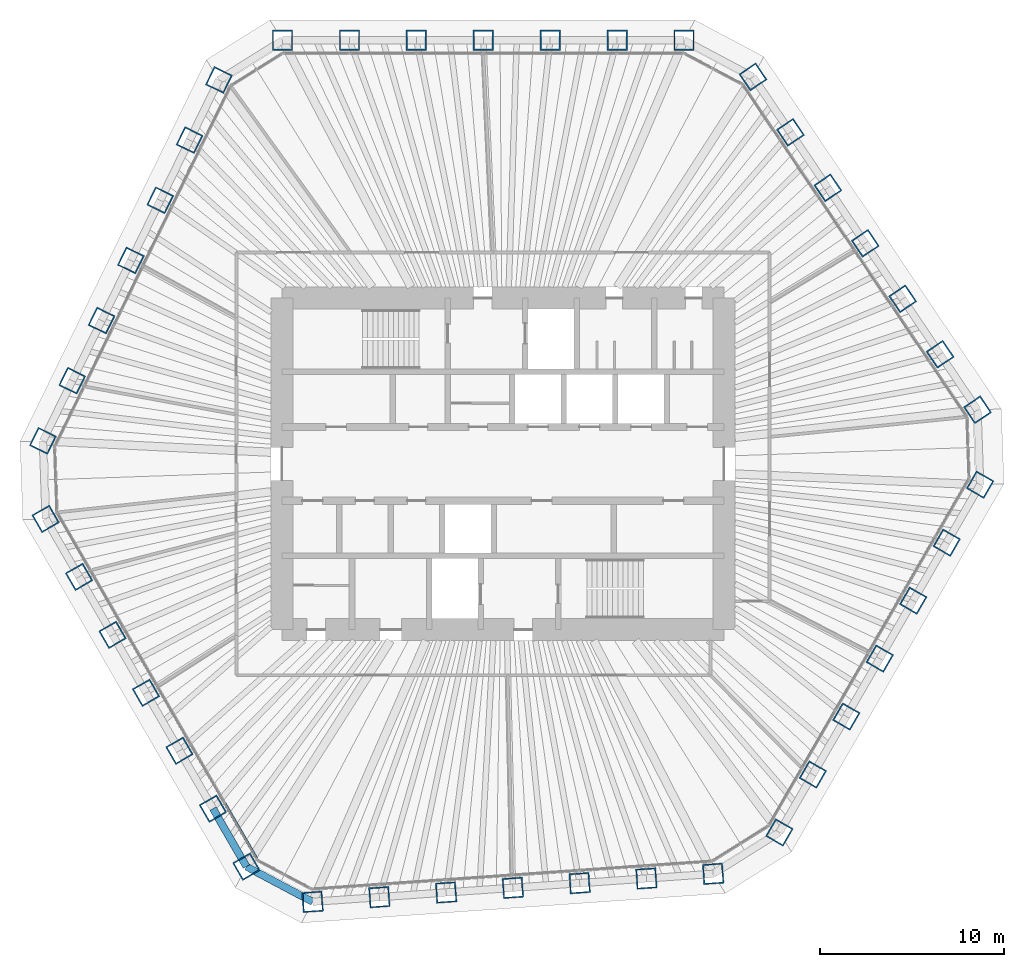
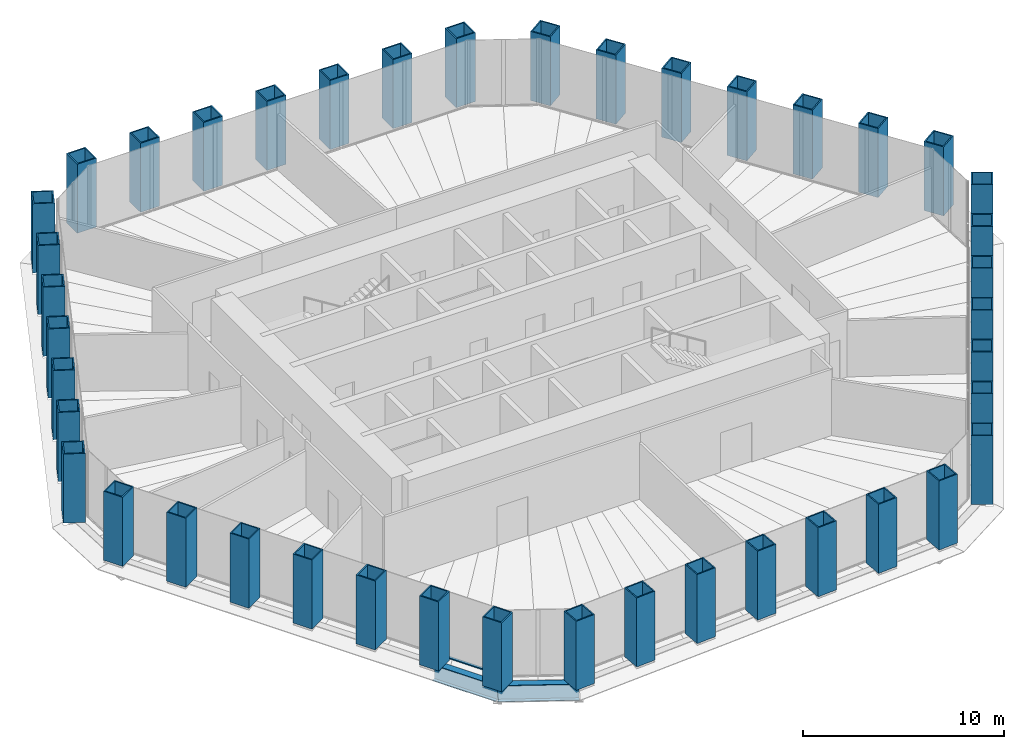
# One storey, part 1 of 13: 42 columns, 2 beams, 1 member, 1 element without a shape of its own.
"""IFC4 building model written with IfcOpenShell, lengths in metres."""

from ifc_helpers import new_model, si_unit, direction, frame, origin, origin_2d, place, context, subcontext, project, spatial, rectangle, hollow_rectangle, i_section, extrude, material, material_profile, profile_set, type_object, element, aggregate, save


model = new_model("IFC4")

# Units and contexts
model_context = context("Model", 3, precision=1e-05, world=origin(), true_north=direction((0.0, 1.0)))
body_context = subcontext(model_context, "Body", "Model", "MODEL_VIEW")
ifc_project = project(units=[si_unit("LENGTHUNIT", "METRE"), si_unit("AREAUNIT", "SQUARE_METRE"), si_unit("VOLUMEUNIT", "CUBIC_METRE"), si_unit("PLANEANGLEUNIT", "RADIAN"), si_unit("MASSUNIT", "GRAM", prefix="KILO")], contexts=[model_context])

# Site, building, storey
site_placement = place(None, origin())
site = spatial("IfcSite", under=ifc_project, at=site_placement, CompositionType="ELEMENT")
building_placement = place(site_placement, origin())
building = spatial("IfcBuilding", under=site, at=building_placement, Name="Qingtian Harvest Tower", CompositionType="ELEMENT")
storey_placement = place(building_placement, frame((0.0, 0.0, 218.199951171875)))
storey = spatial("IfcBuildingStorey", under=building, at=storey_placement, Name="L47", CompositionType="ELEMENT", Elevation=218.199951171875)

# Columns
ifc_material_1 = material(Name="Steel SM570MC", Category="steel")
ifc_material_profile_1 = material_profile(ifc_material_1, hollow_rectangle(XDim=1.10009765625, YDim=1.10009765625, WallThickness=0.070068359375, at=origin_2d()), Name="BOX1100x1100x70")
ifc_profile_set_1 = profile_set([ifc_material_profile_1], Name="Steel SM570MC")
column_type = type_object("IfcColumnType", Name="Tube column TC5 BOX1100x1100x70", PredefinedType="COLUMN", material=ifc_profile_set_1)
for number, where, z_axis, x_axis, name in (
    (1, (-11.971923828125, 23.0, 0.0), (0.0, 0.0, 1.0), (-1.0, 0.0, 0.0), "Tube column TC5 N0"),
    (2, (-8.33837890625, 23.0, 0.0), (0.0, 0.0, 1.0), (-1.0, 0.0, 0.0), "Tube column TC5 N1"),
    (3, (-4.704833984375, 23.0, 0.0), (0.0, 0.0, 1.0), (-1.0, 0.0, 0.0), "Tube column TC5 N2"),
    (4, (-1.0712890625, 23.0, 0.0), (0.0, 0.0, 1.0), (-1.0, 0.0, 0.0), "Tube column TC5 N3"),
    (5, (2.562255859375, 23.0, 0.0), (0.0, 0.0, 1.0), (-1.0, 0.0, 0.0), "Tube column TC5 N4"),
    (6, (6.19580078125, 23.0, 0.0), (0.0, 0.0, 1.0), (-1.0, 0.0, 0.0), "Tube column TC5 N5"),
    (7, (9.829345703125, 23.0, 0.0), (0.0, 0.0, 1.0), (-1.0, 0.0, 0.0), "Tube column TC5 N6"),
    (8, (13.5712890625, 21.01025390625, 0.0), (0.0, 0.0, 1.0), (-0.559192903471, 0.829037572555, 0.0), "Tube column TC5 NE0"),
    (9, (15.603271484375, 17.998046875, 0.0), (0.0, 0.0, 1.0), (-0.559192903471, 0.829037572555, 0.0), "Tube column TC5 NE1"),
    (10, (17.635009765625, 14.985595703125, 0.0), (0.0, 0.0, 1.0), (-0.559192903471, 0.829037572555, 0.0), "Tube column TC5 NE2"),
    (11, (19.6669921875, 11.97314453125, 0.0), (0.0, 0.0, 1.0), (-0.559192903471, 0.829037572555, 0.0), "Tube column TC5 NE3"),
    (12, (21.69873046875, 8.9609375, 0.0), (0.0, 0.0, 1.0), (-0.559192903471, 0.829037572555, 0.0), "Tube column TC5 NE4"),
    (13, (23.730712890625, 5.948486328125, 0.0), (0.0, 0.0, 1.0), (-0.559192903471, 0.829037572555, 0.0), "Tube column TC5 NE5"),
    (14, (25.762451171875, 2.936279296875, 0.0), (0.0, 0.0, 1.0), (-0.559192903471, 0.829037572555, 0.0), "Tube column TC5 NE6"),
    (15, (25.904541015625, -1.1318359375, 0.0), (0.0, 0.0, 1.0), (0.5, 0.866025403784, 0.0), "Tube column TC5 SE0"),
    (16, (24.087890625, -4.27880859375, 0.0), (0.0, 0.0, 1.0), (0.5, 0.866025403784, 0.0), "Tube column TC5 SE1"),
    (17, (22.27099609375, -7.425537109375, 0.0), (0.0, 0.0, 1.0), (0.5, 0.866025403784, 0.0), "Tube column TC5 SE2"),
    (18, (20.454345703125, -10.572265625, 0.0), (0.0, 0.0, 1.0), (0.5, 0.866025403784, 0.0), "Tube column TC5 SE3"),
    (19, (18.637451171875, -13.718994140625, 0.0), (0.0, 0.0, 1.0), (0.5, 0.866025403784, 0.0), "Tube column TC5 SE4"),
    (20, (16.82080078125, -16.86572265625, 0.0), (0.0, 0.0, 1.0), (0.5, 0.866025403784, 0.0), "Tube column TC5 SE5"),
    (21, (15.00390625, -20.012451171875, 0.0), (0.0, 0.0, 1.0), (0.5, 0.866025403784, 0.0), "Tube column TC5 SE6"),
    (22, (11.40966796875, -22.25830078125, 0.0), (0.0, 0.0, 1.0), (0.99756405026, 0.069756473744, 0.0), "Tube column TC5 S0"),
    (23, (7.78515625, -22.51171875, 0.0), (0.0, 0.0, 1.0), (0.99756405026, 0.069756473744, 0.0), "Tube column TC5 S1"),
    (24, (4.160400390625, -22.76513671875, 0.0), (0.0, 0.0, 1.0), (0.99756405026, 0.069756473744, 0.0), "Tube column TC5 S2"),
    (25, (0.53564453125, -23.018798828125, 0.0), (0.0, 0.0, 1.0), (0.99756405026, 0.069756473744, 0.0), "Tube column TC5 S3"),
    (26, (-3.089111328125, -23.272216796875, 0.0), (0.0, 0.0, 1.0), (0.99756405026, 0.069756473744, 0.0), "Tube column TC5 S4"),
    (27, (-6.713623046875, -23.525634765625, 0.0), (0.0, 0.0, 1.0), (0.99756405026, 0.069756473744, 0.0), "Tube column TC5 S5"),
    (28, (-10.33837890625, -23.779052734375, 0.0), (0.0, 0.0, 1.0), (0.99756405026, 0.069756473744, 0.0), "Tube column TC5 S6"),
    (29, (-13.9326171875, -21.8681640625, 0.0), (0.0, 0.0, 1.0), (0.5, -0.866025403784, 0.0), "Tube column TC5 SW0"),
    (30, (-15.749267578125, -18.72119140625, 0.0), (0.0, 0.0, 1.0), (0.5, -0.866025403784, 0.0), "Tube column TC5 SW1"),
    (31, (-17.566162109375, -15.574462890625, 0.0), (0.0, 0.0, 1.0), (0.5, -0.866025403784, 0.0), "Tube column TC5 SW2"),
    (32, (-19.3828125, -12.427734375, 0.0), (0.0, 0.0, 1.0), (0.5, -0.866025403784, 0.0), "Tube column TC5 SW3"),
    (33, (-21.19970703125, -9.281005859375, 0.0), (0.0, 0.0, 1.0), (0.5, -0.866025403784, 0.0), "Tube column TC5 SW4"),
    (34, (-23.016357421875, -6.13427734375, 0.0), (0.0, 0.0, 1.0), (0.5, -0.866025403784, 0.0), "Tube column TC5 SW5"),
    (35, (-24.833251953125, -2.987548828125, 0.0), (0.0, 0.0, 1.0), (0.5, -0.866025403784, 0.0), "Tube column TC5 SW6"),
    (36, (-24.981201171875, 1.248046875, 0.0), (0.0, 0.0, 1.0), (-0.438371146789, -0.898794046299, 0.0), "Tube column TC5 NW0"),
    (37, (-23.388427734375, 4.513916015625, 0.0), (0.0, 0.0, 1.0), (-0.438371146789, -0.898794046299, 0.0), "Tube column TC5 NW1"),
    (38, (-21.79541015625, 7.779541015625, 0.0), (0.0, 0.0, 1.0), (-0.438371146789, -0.898794046299, 0.0), "Tube column TC5 NW2"),
    (39, (-20.20263671875, 11.04541015625, 0.0), (0.0, 0.0, 1.0), (-0.438371146789, -0.898794046299, 0.0), "Tube column TC5 NW3"),
    (40, (-18.60986328125, 14.311279296875, 0.0), (0.0, 0.0, 1.0), (-0.438371146789, -0.898794046299, 0.0), "Tube column TC5 NW4"),
    (41, (-17.016845703125, 17.5771484375, 0.0), (0.0, 0.0, 1.0), (-0.438371146789, -0.898794046299, 0.0), "Tube column TC5 NW5"),
    (42, (-15.424072265625, 20.8427734375, 0.0), (0.0, 0.0, 1.0), (-0.438371146789, -0.898794046299, 0.0), "Tube column TC5 NW6"),
):
    element("IfcColumn", number, at=place(storey_placement, frame(where, z_axis=z_axis, x_axis=x_axis)), inside=storey, type_object=column_type, Name=name, PredefinedType="COLUMN", context=body_context, shape_type="SweptSolid", body=[
        extrude(hollow_rectangle(XDim=1.10009765625, YDim=1.10009765625, WallThickness=0.070068359375, at=origin_2d()), origin(), (0.0, 0.0, 1.0), 4.199951171875),
    ])

# Beams
ifc_material_2 = material(Name="Steel SN490B", Category="steel")
ifc_material_profile_2 = material_profile(ifc_material_2, i_section(OverallWidth=0.39990234375, OverallDepth=1.0, WebThickness=0.01904296875, FlangeThickness=0.035888671875, at=origin_2d()), Name="H1000x400x19x36")
ifc_profile_set_2 = profile_set([ifc_material_profile_2], Name="Steel SN490B")
beam_type = type_object("IfcBeamType", Name="Spandrel beam SB3 H1000x400x19x36", PredefinedType="SPANDREL", material=ifc_profile_set_2)
beam_1_placement = place(storey_placement, frame((-10.33837890625, -23.779052734375, -0.5), z_axis=(-0.882968133669, 0.469432929101, 0.0), x_axis=(-0.469432929101, -0.882968133669, 0.0)))
element("IfcBeam", 43, at=beam_1_placement, inside=storey, type_object=beam_type, Name="Spandrel SB3 SC", PredefinedType="SPANDREL", context=body_context, shape_type="SweptSolid", body=[
    extrude(i_section(OverallWidth=0.39990234375, OverallDepth=1.0, WebThickness=0.01904296875, FlangeThickness=0.035888671875, at=origin_2d()), origin(), (0.0, 0.0, 1.0), 4.070556640625),
])
beam_2_placement = place(storey_placement, frame((-13.9326171875, -21.8681640625, -0.5), z_axis=(-0.499947341849, 0.866055803848, 0.0), x_axis=(-0.866055803848, -0.499947341849, 0.0)))
element("IfcBeam", 44, at=beam_2_placement, inside=storey, type_object=beam_type, Name="Spandrel SB3 SW0", PredefinedType="SPANDREL", context=body_context, shape_type="SweptSolid", body=[
    extrude(i_section(OverallWidth=0.39990234375, OverallDepth=1.0, WebThickness=0.01904296875, FlangeThickness=0.035888671875, at=origin_2d()), origin(), (0.0, 0.0, 1.0), 3.6337890625),
])

# Curtain wall, member
ifc_material_3 = material(Name="Bronze-anodised aluminium curtain wall", Category="aluminium")
curtain_wall_type = type_object("IfcCurtainWallType", Name="Curtain wall CW4 office", PredefinedType="USERDEFINED", material=ifc_material_3)
curtain_wall_placement = place(storey_placement, origin())
curtain_wall = element("IfcCurtainWall", 45, at=curtain_wall_placement, inside=storey, type_object=curtain_wall_type, Name="Curtain wall CW4 L47 SW0-5", ObjectType="RECESSED CURTAIN WALL", PredefinedType="USERDEFINED")
ifc_material_4 = material(Name="Bronze-anodised aluminium transom", Category="aluminium")
ifc_material_profile_3 = material_profile(ifc_material_4, rectangle(XDim=0.14990234375, YDim=0.06494140625, at=origin_2d()), Name="AL 65x150")
ifc_profile_set_3 = profile_set([ifc_material_profile_3], Name="Bronze-anodised aluminium transom")
member_type = type_object("IfcMemberType", Name="Transom CWT 65x150", PredefinedType="USERDEFINED", material=ifc_profile_set_3)
member_placement = place(storey_placement, frame((-13.35888671875, -21.461669921875, 0.032470703125), z_axis=(-0.500015305566, 0.866016566931, 0.0), x_axis=(-0.866016566931, -0.500015305566, 0.0)))
member = element("IfcMember", 46, at=member_placement, type_object=member_type, Name="CW4 transom 1.1", ObjectType="TRANSOM", PredefinedType="USERDEFINED", context=body_context, shape_type="SweptSolid", body=[
    extrude(rectangle(XDim=0.14990234375, YDim=0.06494140625, at=origin_2d()), origin(), (0.0, 0.0, 1.0), 3.5361328125),
])
aggregate(curtain_wall, [member])

save(model, "model.ifc")
